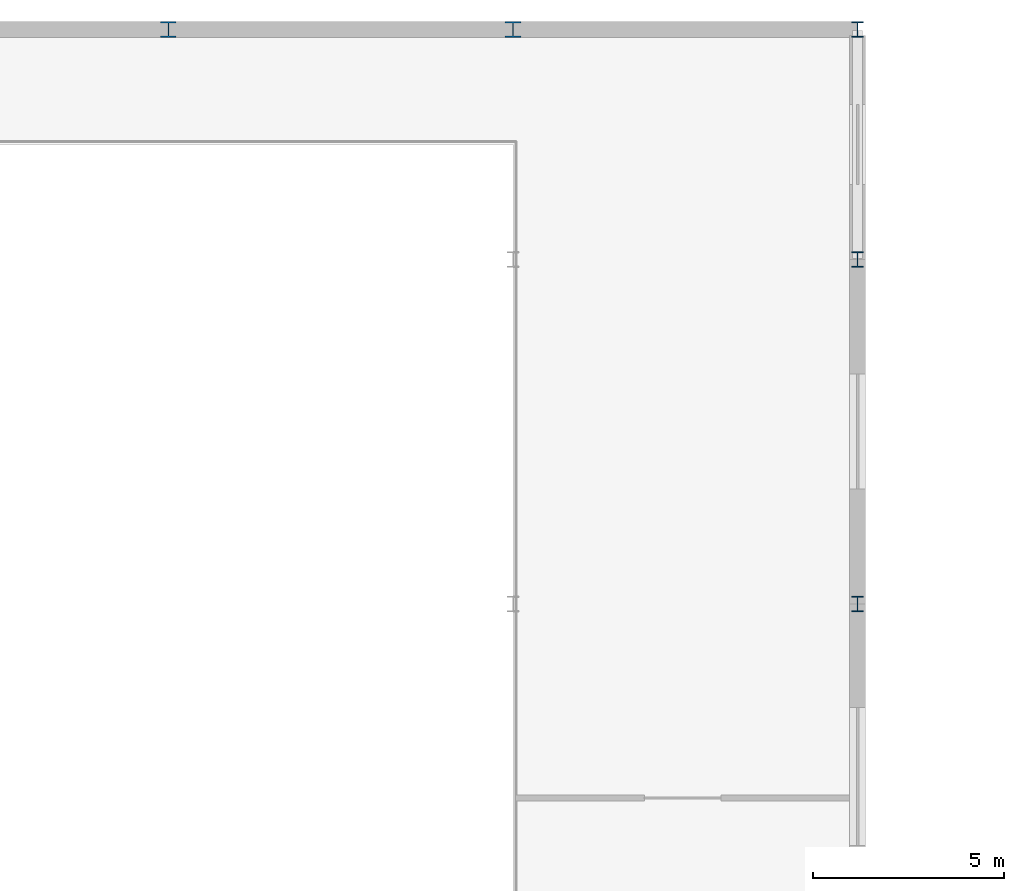
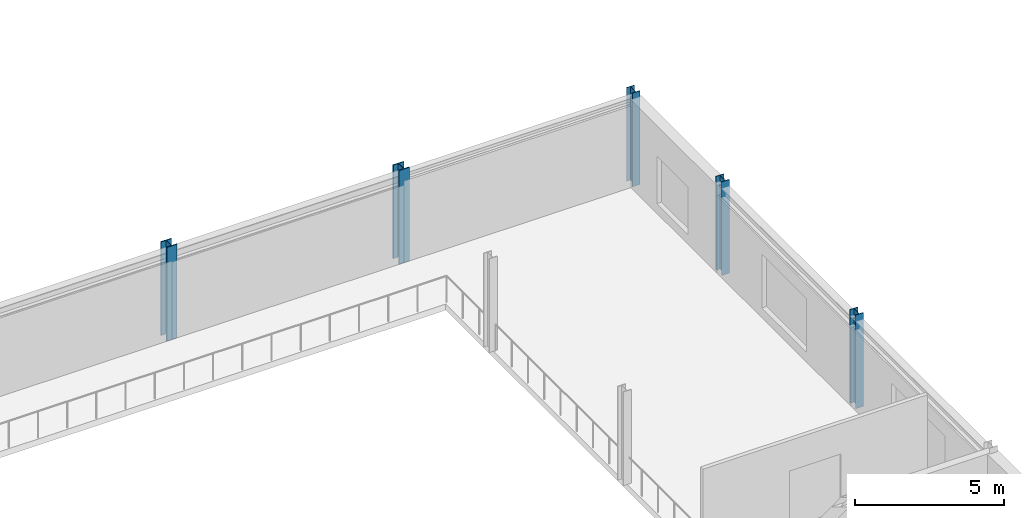
# One storey, part 12 of 79: 5 columns.
"""IFC4 building model written with IfcOpenShell, lengths in metres."""

from ifc_helpers import new_model, si_unit, direction, frame, origin, origin_2d, place, context, subcontext, project, spatial, i_section, extrude, material, material_profile, profile_set, type_object, element, save


model = new_model("IFC4")

# Units and contexts
model_context = context("Model", 3, precision=1e-05, world=origin(), true_north=direction((0.0, 1.0)))
body_context = subcontext(model_context, "Body", "Model", "MODEL_VIEW")
ifc_project = project(units=[si_unit("LENGTHUNIT", "METRE"), si_unit("AREAUNIT", "SQUARE_METRE"), si_unit("VOLUMEUNIT", "CUBIC_METRE"), si_unit("PLANEANGLEUNIT", "RADIAN"), si_unit("MASSUNIT", "GRAM", prefix="KILO")], contexts=[model_context])

# Site, building, storey
site_placement = place(None, origin())
site = spatial("IfcSite", under=ifc_project, at=site_placement, CompositionType="ELEMENT")
building_placement = place(site_placement, origin())
building = spatial("IfcBuilding", under=site, at=building_placement, Name="Palais des Congres Ocreval", CompositionType="ELEMENT")
storey_placement = place(building_placement, frame((0.0, 0.0, 4.320068359375)))
storey = spatial("IfcBuildingStorey", under=building, at=storey_placement, Name="L01", CompositionType="ELEMENT", Elevation=4.320068359375)

# Columns
ifc_material = material(Name="Steel S355", Category="steel")
ifc_material_profile_1 = material_profile(ifc_material, i_section(OverallWidth=0.406005859375, OverallDepth=0.416015625, WebThickness=0.0224609375, FlangeThickness=0.0380859375, at=origin_2d()), Name="HD 400x382")
ifc_profile_set_1 = profile_set([ifc_material_profile_1], Name="Steel S355")
column_type_1 = type_object("IfcColumnType", Name="Column HD 400x382 Steel S355", PredefinedType="COLUMN", material=ifc_profile_set_1)
for number, where, z_axis, x_axis, name in (
    (1, (36.0, 114.0, 0.0), (0.0, 0.0, 1.0), (1.0, 0.0, 0.0), "Column C03 L01"),
    (2, (45.0, 114.0, 0.0), (0.0, 0.0, 1.0), (1.0, 0.0, 0.0), "Column C03 L01"),
):
    element("IfcColumn", number, at=place(storey_placement, frame(where, z_axis=z_axis, x_axis=x_axis)), inside=storey, type_object=column_type_1, Name=name, PredefinedType="COLUMN", context=body_context, shape_type="SweptSolid", body=[
        extrude(i_section(OverallWidth=0.406005859375, OverallDepth=0.416015625, WebThickness=0.0224609375, FlangeThickness=0.0380859375, at=origin_2d()), origin(), (0.0, 0.0, 1.0), 3.83984375),
    ])
ifc_material_profile_2 = material_profile(ifc_material, i_section(OverallWidth=0.300048828125, OverallDepth=0.39990234375, WebThickness=0.013427734375, FlangeThickness=0.02392578125, at=origin_2d()), Name="HEB 400")
ifc_profile_set_2 = profile_set([ifc_material_profile_2], Name="Steel S355")
column_type_2 = type_object("IfcColumnType", Name="Column HEB 400 Steel S355", PredefinedType="COLUMN", material=ifc_profile_set_2)
for number, where, z_axis, x_axis, name in (
    (3, (54.0, 99.0, 0.0), (0.0, 0.0, 1.0), (1.0, 0.0, 0.0), "Column C10 L01"),
    (4, (54.0, 108.0, 0.0), (0.0, 0.0, 1.0), (1.0, 0.0, 0.0), "Column C10 L01"),
    (5, (54.0, 114.0, 0.0), (0.0, 0.0, 1.0), (1.0, 0.0, 0.0), "Column C10 L01"),
):
    element("IfcColumn", number, at=place(storey_placement, frame(where, z_axis=z_axis, x_axis=x_axis)), inside=storey, type_object=column_type_2, Name=name, PredefinedType="COLUMN", context=body_context, shape_type="SweptSolid", body=[
        extrude(i_section(OverallWidth=0.300048828125, OverallDepth=0.39990234375, WebThickness=0.013427734375, FlangeThickness=0.02392578125, at=origin_2d()), origin(), (0.0, 0.0, 1.0), 3.83984375),
    ])

save(model, "model.ifc")
